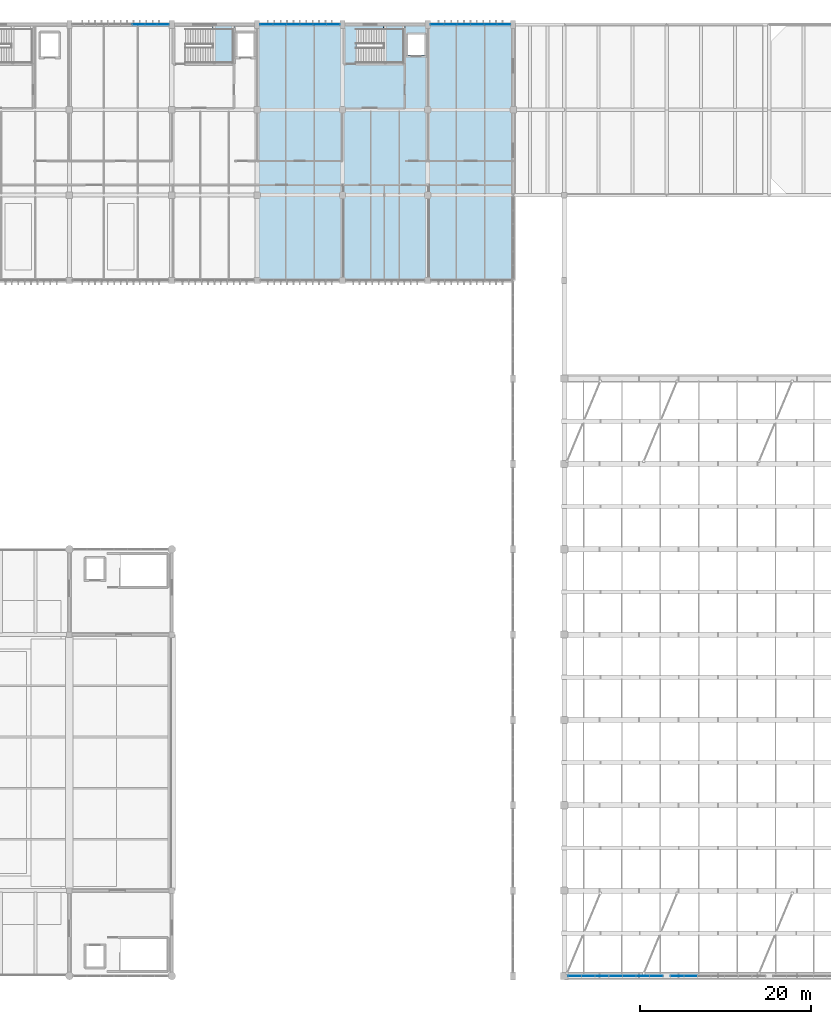
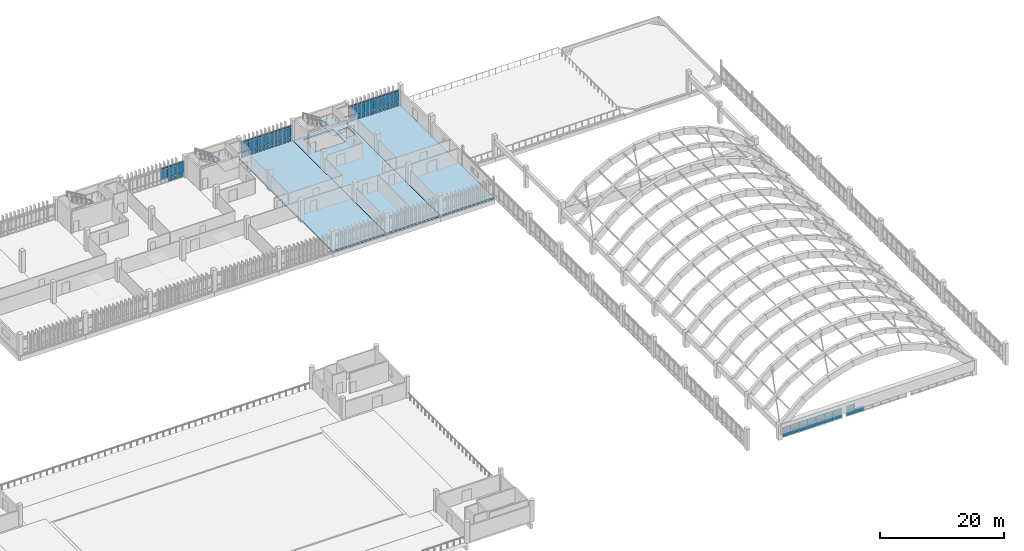
# One storey, part 97 of 111: 61 plates, 5 slabs, 7 elements without a shape of their own.
"""IFC4 building model written with IfcOpenShell, lengths in metres."""

from ifc_helpers import new_model, si_unit, direction, frame, origin, origin_2d, place, context, subcontext, project, spatial, polyline, rectangle, outline, extrude, material, layer, layer_set, type_object, element, aggregate, save


model = new_model("IFC4")

# Units and contexts
model_context = context("Model", 3, precision=1e-05, world=origin(), true_north=direction((0.0, 1.0)))
body_context = subcontext(model_context, "Body", "Model", "MODEL_VIEW")
ifc_project = project(units=[si_unit("LENGTHUNIT", "METRE"), si_unit("AREAUNIT", "SQUARE_METRE"), si_unit("VOLUMEUNIT", "CUBIC_METRE"), si_unit("PLANEANGLEUNIT", "RADIAN"), si_unit("MASSUNIT", "GRAM", prefix="KILO")], contexts=[model_context])

# Site, building, storey
site_placement = place(None, origin())
site = spatial("IfcSite", under=ifc_project, at=site_placement, CompositionType="ELEMENT")
building_placement = place(site_placement, origin())
building = spatial("IfcBuilding", under=site, at=building_placement, Name="Mersad Railyard Sports Hall", CompositionType="ELEMENT")
storey_placement = place(building_placement, frame((0.0, 0.0, 9.0)))
storey = spatial("IfcBuildingStorey", under=building, at=storey_placement, Name="L02", CompositionType="ELEMENT", Elevation=9.0)

# Curtain wall, plates
ifc_material_1 = material(Name="Aluminium 6063-T6", Category="aluminium")
ifc_layer_1 = layer(ifc_material_1, 0.199951171875)
ifc_layer_set_1 = layer_set([ifc_layer_1], Name="Aluminium 6063-T6")
curtain_wall_type_1 = type_object("IfcCurtainWallType", Name="ARC-CW-CW11", PredefinedType="USERDEFINED", material=ifc_layer_set_1)
curtain_wall_1_placement = place(storey_placement, origin())
curtain_wall_1 = element("IfcCurtainWall", 1, at=curtain_wall_1_placement, inside=storey, type_object=curtain_wall_type_1, Name="Curtain wall CW11-0038", ObjectType="CURTAIN WALL", PredefinedType="USERDEFINED")
ifc_material_2 = material(Name="Solar-control glass", Category="glass")
ifc_layer_2 = layer(ifc_material_2, 0.028076171875)
ifc_layer_set_2 = layer_set([ifc_layer_2], Name="Solar-control glass")
plate_type = type_object("IfcPlateType", Name="ARC-CW-PNL01", PredefinedType="CURTAIN_PANEL", material=ifc_layer_set_2)
plate_1_placement = place(storey_placement, frame((147.7568359375, 3.5, 0.0849609375), z_axis=(0.0, 0.0, 1.0), x_axis=(-1.0, 0.0, 0.0)))
plate_1 = element("IfcPlate", 2, at=plate_1_placement, type_object=plate_type, Name="CW11 Glazed panel 1-1", PredefinedType="CURTAIN_PANEL", context=body_context, shape_type="SweptSolid", body=[
    extrude(rectangle(XDim=1.54248046875, YDim=0.028076171875, at=origin_2d()), origin(), (0.0, 0.0, 1.0), 0.909912109375),
])
plate_2_placement = place(storey_placement, frame((147.7568359375, 3.5, 1.0849609375), z_axis=(0.0, 0.0, 1.0), x_axis=(-1.0, 0.0, 0.0)))
plate_2 = element("IfcPlate", 3, at=plate_2_placement, type_object=plate_type, Name="CW11 Glazed panel 1-2", PredefinedType="CURTAIN_PANEL", context=body_context, shape_type="SweptSolid", body=[
    extrude(rectangle(XDim=1.54248046875, YDim=0.028076171875, at=origin_2d()), origin(), (0.0, 0.0, 1.0), 0.909912109375),
])
plate_3_placement = place(storey_placement, frame((146.17041015625, 3.5, 0.0849609375), z_axis=(0.0, 0.0, 1.0), x_axis=(-1.0, 0.0, 0.0)))
plate_3 = element("IfcPlate", 4, at=plate_3_placement, type_object=plate_type, Name="CW11 Glazed panel 2-1", PredefinedType="CURTAIN_PANEL", context=body_context, shape_type="SweptSolid", body=[
    extrude(rectangle(XDim=1.54248046875, YDim=0.028076171875, at=origin_2d()), origin(), (0.0, 0.0, 1.0), 0.909912109375),
])
plate_4_placement = place(storey_placement, frame((146.17041015625, 3.5, 1.0849609375), z_axis=(0.0, 0.0, 1.0), x_axis=(-1.0, 0.0, 0.0)))
plate_4 = element("IfcPlate", 5, at=plate_4_placement, type_object=plate_type, Name="CW11 Glazed panel 2-2", PredefinedType="CURTAIN_PANEL", context=body_context, shape_type="SweptSolid", body=[
    extrude(rectangle(XDim=1.54248046875, YDim=0.028076171875, at=origin_2d()), origin(), (0.0, 0.0, 1.0), 0.909912109375),
])
plate_5_placement = place(storey_placement, frame((144.583984375, 3.5, 0.0849609375), z_axis=(0.0, 0.0, 1.0), x_axis=(-1.0, 0.0, 0.0)))
plate_5 = element("IfcPlate", 6, at=plate_5_placement, type_object=plate_type, Name="CW11 Glazed panel 3-1", PredefinedType="CURTAIN_PANEL", context=body_context, shape_type="SweptSolid", body=[
    extrude(rectangle(XDim=1.54248046875, YDim=0.028076171875, at=origin_2d()), origin(), (0.0, 0.0, 1.0), 0.909912109375),
])
plate_6_placement = place(storey_placement, frame((144.583984375, 3.5, 1.0849609375), z_axis=(0.0, 0.0, 1.0), x_axis=(-1.0, 0.0, 0.0)))
plate_6 = element("IfcPlate", 7, at=plate_6_placement, type_object=plate_type, Name="CW11 Glazed panel 3-2", PredefinedType="CURTAIN_PANEL", context=body_context, shape_type="SweptSolid", body=[
    extrude(rectangle(XDim=1.54248046875, YDim=0.028076171875, at=origin_2d()), origin(), (0.0, 0.0, 1.0), 0.909912109375),
])
plate_7_placement = place(storey_placement, frame((142.99755859375, 3.5, 0.0849609375), z_axis=(0.0, 0.0, 1.0), x_axis=(-1.0, 0.0, 0.0)))
plate_7 = element("IfcPlate", 8, at=plate_7_placement, type_object=plate_type, Name="CW11 Glazed panel 4-1", PredefinedType="CURTAIN_PANEL", context=body_context, shape_type="SweptSolid", body=[
    extrude(rectangle(XDim=1.54248046875, YDim=0.028076171875, at=origin_2d()), origin(), (0.0, 0.0, 1.0), 0.909912109375),
])
plate_8_placement = place(storey_placement, frame((142.99755859375, 3.5, 1.0849609375), z_axis=(0.0, 0.0, 1.0), x_axis=(-1.0, 0.0, 0.0)))
plate_8 = element("IfcPlate", 9, at=plate_8_placement, type_object=plate_type, Name="CW11 Glazed panel 4-2", PredefinedType="CURTAIN_PANEL", context=body_context, shape_type="SweptSolid", body=[
    extrude(rectangle(XDim=1.54248046875, YDim=0.028076171875, at=origin_2d()), origin(), (0.0, 0.0, 1.0), 0.909912109375),
])
plate_9_placement = place(storey_placement, frame((141.4111328125, 3.5, 0.0849609375), z_axis=(0.0, 0.0, 1.0), x_axis=(-1.0, 0.0, 0.0)))
plate_9 = element("IfcPlate", 10, at=plate_9_placement, type_object=plate_type, Name="CW11 Glazed panel 5-1", PredefinedType="CURTAIN_PANEL", context=body_context, shape_type="SweptSolid", body=[
    extrude(rectangle(XDim=1.54248046875, YDim=0.028076171875, at=origin_2d()), origin(), (0.0, 0.0, 1.0), 0.909912109375),
])
plate_10_placement = place(storey_placement, frame((141.4111328125, 3.5, 1.0849609375), z_axis=(0.0, 0.0, 1.0), x_axis=(-1.0, 0.0, 0.0)))
plate_10 = element("IfcPlate", 11, at=plate_10_placement, type_object=plate_type, Name="CW11 Glazed panel 5-2", PredefinedType="CURTAIN_PANEL", context=body_context, shape_type="SweptSolid", body=[
    extrude(rectangle(XDim=1.54248046875, YDim=0.028076171875, at=origin_2d()), origin(), (0.0, 0.0, 1.0), 0.909912109375),
])
plate_11_placement = place(storey_placement, frame((139.82470703125, 3.5, 0.0849609375), z_axis=(0.0, 0.0, 1.0), x_axis=(-1.0, 0.0, 0.0)))
plate_11 = element("IfcPlate", 12, at=plate_11_placement, type_object=plate_type, Name="CW11 Glazed panel 6-1", PredefinedType="CURTAIN_PANEL", context=body_context, shape_type="SweptSolid", body=[
    extrude(rectangle(XDim=1.54248046875, YDim=0.028076171875, at=origin_2d()), origin(), (0.0, 0.0, 1.0), 0.909912109375),
])
plate_12_placement = place(storey_placement, frame((139.82470703125, 3.5, 1.0849609375), z_axis=(0.0, 0.0, 1.0), x_axis=(-1.0, 0.0, 0.0)))
plate_12 = element("IfcPlate", 13, at=plate_12_placement, type_object=plate_type, Name="CW11 Glazed panel 6-2", PredefinedType="CURTAIN_PANEL", context=body_context, shape_type="SweptSolid", body=[
    extrude(rectangle(XDim=1.54248046875, YDim=0.028076171875, at=origin_2d()), origin(), (0.0, 0.0, 1.0), 0.909912109375),
])
plate_13_placement = place(storey_placement, frame((138.23828125, 3.5, 0.0849609375), z_axis=(0.0, 0.0, 1.0), x_axis=(-1.0, 0.0, 0.0)))
plate_13 = element("IfcPlate", 14, at=plate_13_placement, type_object=plate_type, Name="CW11 Glazed panel 7-1", PredefinedType="CURTAIN_PANEL", context=body_context, shape_type="SweptSolid", body=[
    extrude(rectangle(XDim=1.54248046875, YDim=0.028076171875, at=origin_2d()), origin(), (0.0, 0.0, 1.0), 0.909912109375),
])
plate_14_placement = place(storey_placement, frame((138.23828125, 3.5, 1.0849609375), z_axis=(0.0, 0.0, 1.0), x_axis=(-1.0, 0.0, 0.0)))
plate_14 = element("IfcPlate", 15, at=plate_14_placement, type_object=plate_type, Name="CW11 Glazed panel 7-2", PredefinedType="CURTAIN_PANEL", context=body_context, shape_type="SweptSolid", body=[
    extrude(rectangle(XDim=1.54248046875, YDim=0.028076171875, at=origin_2d()), origin(), (0.0, 0.0, 1.0), 0.909912109375),
])
aggregate(curtain_wall_1, [plate_1, plate_2, plate_3, plate_4, plate_5, plate_6, plate_7, plate_8, plate_9, plate_10, plate_11, plate_12, plate_13, plate_14])

ifc_layer_3 = layer(ifc_material_1, 0.199951171875)
ifc_layer_set_3 = layer_set([ifc_layer_3], Name="Aluminium 6063-T6")
curtain_wall_type_2 = type_object("IfcCurtainWallType", Name="ARC-CW-CW13", PredefinedType="USERDEFINED", material=ifc_layer_set_3)
curtain_wall_2_placement = place(storey_placement, origin())
curtain_wall_2 = element("IfcCurtainWall", 16, at=curtain_wall_2_placement, inside=storey, type_object=curtain_wall_type_2, Name="Curtain wall CW13-0040", ObjectType="CURTAIN WALL", PredefinedType="USERDEFINED")
plate_15_placement = place(storey_placement, frame((151.82861328125, 3.5, 0.0849609375), z_axis=(0.0, 0.0, 1.0), x_axis=(-1.0, 0.0, 0.0)))
plate_15 = element("IfcPlate", 17, at=plate_15_placement, type_object=plate_type, Name="CW13 Glazed panel 6-1", PredefinedType="CURTAIN_PANEL", context=body_context, shape_type="SweptSolid", body=[
    extrude(rectangle(XDim=1.541748046875, YDim=0.028076171875, at=origin_2d()), origin(), (0.0, 0.0, 1.0), 0.909912109375),
])
plate_16_placement = place(storey_placement, frame((150.242919921875, 3.5, 0.0849609375), z_axis=(0.0, 0.0, 1.0), x_axis=(-1.0, 0.0, 0.0)))
plate_16 = element("IfcPlate", 18, at=plate_16_placement, type_object=plate_type, Name="CW13 Glazed panel 7-1", PredefinedType="CURTAIN_PANEL", context=body_context, shape_type="SweptSolid", body=[
    extrude(rectangle(XDim=1.541748046875, YDim=0.028076171875, at=origin_2d()), origin(), (0.0, 0.0, 1.0), 0.909912109375),
])
plate_17_placement = place(storey_placement, frame((150.242919921875, 3.5, 1.0849609375), z_axis=(0.0, 0.0, 1.0), x_axis=(-1.0, 0.0, 0.0)))
plate_17 = element("IfcPlate", 19, at=plate_17_placement, type_object=plate_type, Name="CW13 Glazed panel 7-2", PredefinedType="CURTAIN_PANEL", context=body_context, shape_type="SweptSolid", body=[
    extrude(rectangle(XDim=1.541748046875, YDim=0.028076171875, at=origin_2d()), origin(), (0.0, 0.0, 1.0), 0.909912109375),
])
aggregate(curtain_wall_2, [plate_15, plate_16, plate_17])

ifc_layer_4 = layer(ifc_material_1, 0.159912109375)
ifc_layer_set_4 = layer_set([ifc_layer_4], Name="Aluminium 6063-T6")
curtain_wall_type_3 = type_object("IfcCurtainWallType", Name="ARC-CW-CW52", PredefinedType="USERDEFINED", material=ifc_layer_set_4)
curtain_wall_3_placement = place(storey_placement, origin())
curtain_wall_3 = element("IfcCurtainWall", 20, at=curtain_wall_3_placement, inside=storey, type_object=curtain_wall_type_3, Name="Curtain wall CW52-0140", ObjectType="CURTAIN WALL", PredefinedType="USERDEFINED")
plate_18_placement = place(storey_placement, frame((87.1298828125, 115.0, 0.89501953125), z_axis=(0.0, 0.0, 1.0), x_axis=(1.0, 0.0, 0.0)))
plate_18 = element("IfcPlate", 21, at=plate_18_placement, type_object=plate_type, Name="CW52 Glazed panel 6-2", PredefinedType="CURTAIN_PANEL", context=body_context, shape_type="SweptSolid", body=[
    extrude(rectangle(XDim=1.3759765625, YDim=0.028076171875, at=origin_2d()), origin(), (0.0, 0.0, 1.0), 1.7900390625),
])
plate_19_placement = place(storey_placement, frame((87.1298828125, 115.0, 2.77490234375), z_axis=(0.0, 0.0, 1.0), x_axis=(1.0, 0.0, 0.0)))
plate_19 = element("IfcPlate", 22, at=plate_19_placement, type_object=plate_type, Name="CW52 Glazed panel 6-3", PredefinedType="CURTAIN_PANEL", context=body_context, shape_type="SweptSolid", body=[
    extrude(rectangle(XDim=1.3759765625, YDim=0.028076171875, at=origin_2d()), origin(), (0.0, 0.0, 1.0), 0.35009765625),
])
plate_20_placement = place(storey_placement, frame((88.550048828125, 115.0, 0.0849609375), z_axis=(0.0, 0.0, 1.0), x_axis=(1.0, 0.0, 0.0)))
plate_20 = element("IfcPlate", 23, at=plate_20_placement, type_object=plate_type, Name="CW52 Glazed panel 7-1", PredefinedType="CURTAIN_PANEL", context=body_context, shape_type="SweptSolid", body=[
    extrude(rectangle(XDim=1.3759765625, YDim=0.028076171875, at=origin_2d()), origin(), (0.0, 0.0, 1.0), 0.719970703125),
])
plate_21_placement = place(storey_placement, frame((88.550048828125, 115.0, 0.89501953125), z_axis=(0.0, 0.0, 1.0), x_axis=(1.0, 0.0, 0.0)))
plate_21 = element("IfcPlate", 24, at=plate_21_placement, type_object=plate_type, Name="CW52 Glazed panel 7-2", PredefinedType="CURTAIN_PANEL", context=body_context, shape_type="SweptSolid", body=[
    extrude(rectangle(XDim=1.3759765625, YDim=0.028076171875, at=origin_2d()), origin(), (0.0, 0.0, 1.0), 1.7900390625),
])
plate_22_placement = place(storey_placement, frame((88.550048828125, 115.0, 2.77490234375), z_axis=(0.0, 0.0, 1.0), x_axis=(1.0, 0.0, 0.0)))
plate_22 = element("IfcPlate", 25, at=plate_22_placement, type_object=plate_type, Name="CW52 Glazed panel 7-3", PredefinedType="CURTAIN_PANEL", context=body_context, shape_type="SweptSolid", body=[
    extrude(rectangle(XDim=1.3759765625, YDim=0.028076171875, at=origin_2d()), origin(), (0.0, 0.0, 1.0), 0.35009765625),
])
plate_23_placement = place(storey_placement, frame((89.969970703125, 115.0, 0.0849609375), z_axis=(0.0, 0.0, 1.0), x_axis=(1.0, 0.0, 0.0)))
plate_23 = element("IfcPlate", 26, at=plate_23_placement, type_object=plate_type, Name="CW52 Glazed panel 8-1", PredefinedType="CURTAIN_PANEL", context=body_context, shape_type="SweptSolid", body=[
    extrude(rectangle(XDim=1.3759765625, YDim=0.028076171875, at=origin_2d()), origin(), (0.0, 0.0, 1.0), 0.719970703125),
])
plate_24_placement = place(storey_placement, frame((89.969970703125, 115.0, 0.89501953125), z_axis=(0.0, 0.0, 1.0), x_axis=(1.0, 0.0, 0.0)))
plate_24 = element("IfcPlate", 27, at=plate_24_placement, type_object=plate_type, Name="CW52 Glazed panel 8-2", PredefinedType="CURTAIN_PANEL", context=body_context, shape_type="SweptSolid", body=[
    extrude(rectangle(XDim=1.3759765625, YDim=0.028076171875, at=origin_2d()), origin(), (0.0, 0.0, 1.0), 1.7900390625),
])
plate_25_placement = place(storey_placement, frame((89.969970703125, 115.0, 2.77490234375), z_axis=(0.0, 0.0, 1.0), x_axis=(1.0, 0.0, 0.0)))
plate_25 = element("IfcPlate", 28, at=plate_25_placement, type_object=plate_type, Name="CW52 Glazed panel 8-3", PredefinedType="CURTAIN_PANEL", context=body_context, shape_type="SweptSolid", body=[
    extrude(rectangle(XDim=1.3759765625, YDim=0.028076171875, at=origin_2d()), origin(), (0.0, 0.0, 1.0), 0.35009765625),
])
aggregate(curtain_wall_3, [plate_18, plate_19, plate_20, plate_21, plate_22, plate_23, plate_24, plate_25])

ifc_layer_5 = layer(ifc_material_1, 0.159912109375)
ifc_layer_set_5 = layer_set([ifc_layer_5], Name="Aluminium 6063-T6")
curtain_wall_type_4 = type_object("IfcCurtainWallType", Name="ARC-CW-CW53", PredefinedType="USERDEFINED", material=ifc_layer_set_5)
curtain_wall_4_placement = place(storey_placement, origin())
curtain_wall_4 = element("IfcCurtainWall", 29, at=curtain_wall_4_placement, inside=storey, type_object=curtain_wall_type_4, Name="Curtain wall CW53-0141", ObjectType="CURTAIN WALL", PredefinedType="USERDEFINED")
plate_26_placement = place(storey_placement, frame((102.10009765625, 115.0, 0.0849609375), z_axis=(0.0, 0.0, 1.0), x_axis=(1.0, 0.0, 0.0)))
plate_26 = element("IfcPlate", 30, at=plate_26_placement, type_object=plate_type, Name="CW53 Glazed panel 1-1", PredefinedType="CURTAIN_PANEL", context=body_context, shape_type="SweptSolid", body=[
    extrude(rectangle(XDim=1.51611328125, YDim=0.028076171875, at=origin_2d()), origin(), (0.0, 0.0, 1.0), 0.719970703125),
])
plate_27_placement = place(storey_placement, frame((102.10009765625, 115.0, 0.89501953125), z_axis=(0.0, 0.0, 1.0), x_axis=(1.0, 0.0, 0.0)))
plate_27 = element("IfcPlate", 31, at=plate_27_placement, type_object=plate_type, Name="CW53 Glazed panel 1-2", PredefinedType="CURTAIN_PANEL", context=body_context, shape_type="SweptSolid", body=[
    extrude(rectangle(XDim=1.51611328125, YDim=0.028076171875, at=origin_2d()), origin(), (0.0, 0.0, 1.0), 1.7900390625),
])
plate_28_placement = place(storey_placement, frame((102.10009765625, 115.0, 2.77490234375), z_axis=(0.0, 0.0, 1.0), x_axis=(1.0, 0.0, 0.0)))
plate_28 = element("IfcPlate", 32, at=plate_28_placement, type_object=plate_type, Name="CW53 Glazed panel 1-3", PredefinedType="CURTAIN_PANEL", context=body_context, shape_type="SweptSolid", body=[
    extrude(rectangle(XDim=1.51611328125, YDim=0.028076171875, at=origin_2d()), origin(), (0.0, 0.0, 1.0), 0.35009765625),
])
plate_29_placement = place(storey_placement, frame((103.659912109375, 115.0, 0.0849609375), z_axis=(0.0, 0.0, 1.0), x_axis=(1.0, 0.0, 0.0)))
plate_29 = element("IfcPlate", 33, at=plate_29_placement, type_object=plate_type, Name="CW53 Glazed panel 2-1", PredefinedType="CURTAIN_PANEL", context=body_context, shape_type="SweptSolid", body=[
    extrude(rectangle(XDim=1.51611328125, YDim=0.028076171875, at=origin_2d()), origin(), (0.0, 0.0, 1.0), 0.719970703125),
])
plate_30_placement = place(storey_placement, frame((103.659912109375, 115.0, 0.89501953125), z_axis=(0.0, 0.0, 1.0), x_axis=(1.0, 0.0, 0.0)))
plate_30 = element("IfcPlate", 34, at=plate_30_placement, type_object=plate_type, Name="CW53 Glazed panel 2-2", PredefinedType="CURTAIN_PANEL", context=body_context, shape_type="SweptSolid", body=[
    extrude(rectangle(XDim=1.51611328125, YDim=0.028076171875, at=origin_2d()), origin(), (0.0, 0.0, 1.0), 1.7900390625),
])
plate_31_placement = place(storey_placement, frame((103.659912109375, 115.0, 2.77490234375), z_axis=(0.0, 0.0, 1.0), x_axis=(1.0, 0.0, 0.0)))
plate_31 = element("IfcPlate", 35, at=plate_31_placement, type_object=plate_type, Name="CW53 Glazed panel 2-3", PredefinedType="CURTAIN_PANEL", context=body_context, shape_type="SweptSolid", body=[
    extrude(rectangle(XDim=1.51611328125, YDim=0.028076171875, at=origin_2d()), origin(), (0.0, 0.0, 1.0), 0.35009765625),
])
plate_32_placement = place(storey_placement, frame((105.219970703125, 115.0, 0.0849609375), z_axis=(0.0, 0.0, 1.0), x_axis=(1.0, 0.0, 0.0)))
plate_32 = element("IfcPlate", 36, at=plate_32_placement, type_object=plate_type, Name="CW53 Glazed panel 3-1", PredefinedType="CURTAIN_PANEL", context=body_context, shape_type="SweptSolid", body=[
    extrude(rectangle(XDim=1.51611328125, YDim=0.028076171875, at=origin_2d()), origin(), (0.0, 0.0, 1.0), 0.719970703125),
])
plate_33_placement = place(storey_placement, frame((105.219970703125, 115.0, 0.89501953125), z_axis=(0.0, 0.0, 1.0), x_axis=(1.0, 0.0, 0.0)))
plate_33 = element("IfcPlate", 37, at=plate_33_placement, type_object=plate_type, Name="CW53 Glazed panel 3-2", PredefinedType="CURTAIN_PANEL", context=body_context, shape_type="SweptSolid", body=[
    extrude(rectangle(XDim=1.51611328125, YDim=0.028076171875, at=origin_2d()), origin(), (0.0, 0.0, 1.0), 1.7900390625),
])
plate_34_placement = place(storey_placement, frame((105.219970703125, 115.0, 2.77490234375), z_axis=(0.0, 0.0, 1.0), x_axis=(1.0, 0.0, 0.0)))
plate_34 = element("IfcPlate", 38, at=plate_34_placement, type_object=plate_type, Name="CW53 Glazed panel 3-3", PredefinedType="CURTAIN_PANEL", context=body_context, shape_type="SweptSolid", body=[
    extrude(rectangle(XDim=1.51611328125, YDim=0.028076171875, at=origin_2d()), origin(), (0.0, 0.0, 1.0), 0.35009765625),
])
plate_35_placement = place(storey_placement, frame((106.780029296875, 115.0, 0.0849609375), z_axis=(0.0, 0.0, 1.0), x_axis=(1.0, 0.0, 0.0)))
plate_35 = element("IfcPlate", 39, at=plate_35_placement, type_object=plate_type, Name="CW53 Glazed panel 4-1", PredefinedType="CURTAIN_PANEL", context=body_context, shape_type="SweptSolid", body=[
    extrude(rectangle(XDim=1.51611328125, YDim=0.028076171875, at=origin_2d()), origin(), (0.0, 0.0, 1.0), 0.719970703125),
])
plate_36_placement = place(storey_placement, frame((106.780029296875, 115.0, 0.89501953125), z_axis=(0.0, 0.0, 1.0), x_axis=(1.0, 0.0, 0.0)))
plate_36 = element("IfcPlate", 40, at=plate_36_placement, type_object=plate_type, Name="CW53 Glazed panel 4-2", PredefinedType="CURTAIN_PANEL", context=body_context, shape_type="SweptSolid", body=[
    extrude(rectangle(XDim=1.51611328125, YDim=0.028076171875, at=origin_2d()), origin(), (0.0, 0.0, 1.0), 1.7900390625),
])
plate_37_placement = place(storey_placement, frame((106.780029296875, 115.0, 2.77490234375), z_axis=(0.0, 0.0, 1.0), x_axis=(1.0, 0.0, 0.0)))
plate_37 = element("IfcPlate", 41, at=plate_37_placement, type_object=plate_type, Name="CW53 Glazed panel 4-3", PredefinedType="CURTAIN_PANEL", context=body_context, shape_type="SweptSolid", body=[
    extrude(rectangle(XDim=1.51611328125, YDim=0.028076171875, at=origin_2d()), origin(), (0.0, 0.0, 1.0), 0.35009765625),
])
plate_38_placement = place(storey_placement, frame((108.340087890625, 115.0, 0.0849609375), z_axis=(0.0, 0.0, 1.0), x_axis=(1.0, 0.0, 0.0)))
plate_38 = element("IfcPlate", 42, at=plate_38_placement, type_object=plate_type, Name="CW53 Glazed panel 5-1", PredefinedType="CURTAIN_PANEL", context=body_context, shape_type="SweptSolid", body=[
    extrude(rectangle(XDim=1.51611328125, YDim=0.028076171875, at=origin_2d()), origin(), (0.0, 0.0, 1.0), 0.719970703125),
])
plate_39_placement = place(storey_placement, frame((108.340087890625, 115.0, 0.89501953125), z_axis=(0.0, 0.0, 1.0), x_axis=(1.0, 0.0, 0.0)))
plate_39 = element("IfcPlate", 43, at=plate_39_placement, type_object=plate_type, Name="CW53 Glazed panel 5-2", PredefinedType="CURTAIN_PANEL", context=body_context, shape_type="SweptSolid", body=[
    extrude(rectangle(XDim=1.51611328125, YDim=0.028076171875, at=origin_2d()), origin(), (0.0, 0.0, 1.0), 1.7900390625),
])
plate_40_placement = place(storey_placement, frame((108.340087890625, 115.0, 2.77490234375), z_axis=(0.0, 0.0, 1.0), x_axis=(1.0, 0.0, 0.0)))
plate_40 = element("IfcPlate", 44, at=plate_40_placement, type_object=plate_type, Name="CW53 Glazed panel 5-3", PredefinedType="CURTAIN_PANEL", context=body_context, shape_type="SweptSolid", body=[
    extrude(rectangle(XDim=1.51611328125, YDim=0.028076171875, at=origin_2d()), origin(), (0.0, 0.0, 1.0), 0.35009765625),
])
plate_41_placement = place(storey_placement, frame((109.89990234375, 115.0, 0.0849609375), z_axis=(0.0, 0.0, 1.0), x_axis=(1.0, 0.0, 0.0)))
plate_41 = element("IfcPlate", 45, at=plate_41_placement, type_object=plate_type, Name="CW53 Glazed panel 6-1", PredefinedType="CURTAIN_PANEL", context=body_context, shape_type="SweptSolid", body=[
    extrude(rectangle(XDim=1.51611328125, YDim=0.028076171875, at=origin_2d()), origin(), (0.0, 0.0, 1.0), 0.719970703125),
])
plate_42_placement = place(storey_placement, frame((109.89990234375, 115.0, 0.89501953125), z_axis=(0.0, 0.0, 1.0), x_axis=(1.0, 0.0, 0.0)))
plate_42 = element("IfcPlate", 46, at=plate_42_placement, type_object=plate_type, Name="CW53 Glazed panel 6-2", PredefinedType="CURTAIN_PANEL", context=body_context, shape_type="SweptSolid", body=[
    extrude(rectangle(XDim=1.51611328125, YDim=0.028076171875, at=origin_2d()), origin(), (0.0, 0.0, 1.0), 1.7900390625),
])
plate_43_placement = place(storey_placement, frame((109.89990234375, 115.0, 2.77490234375), z_axis=(0.0, 0.0, 1.0), x_axis=(1.0, 0.0, 0.0)))
plate_43 = element("IfcPlate", 47, at=plate_43_placement, type_object=plate_type, Name="CW53 Glazed panel 6-3", PredefinedType="CURTAIN_PANEL", context=body_context, shape_type="SweptSolid", body=[
    extrude(rectangle(XDim=1.51611328125, YDim=0.028076171875, at=origin_2d()), origin(), (0.0, 0.0, 1.0), 0.35009765625),
])
aggregate(curtain_wall_4, [plate_26, plate_27, plate_28, plate_29, plate_30, plate_31, plate_32, plate_33, plate_34, plate_35, plate_36, plate_37, plate_38, plate_39, plate_40, plate_41, plate_42, plate_43])

curtain_wall_5_placement = place(storey_placement, origin())
curtain_wall_5 = element("IfcCurtainWall", 48, at=curtain_wall_5_placement, inside=storey, type_object=curtain_wall_type_4, Name="Curtain wall CW53-0142", ObjectType="CURTAIN WALL", PredefinedType="USERDEFINED")
plate_44_placement = place(storey_placement, frame((122.10009765625, 115.0, 0.0849609375), z_axis=(0.0, 0.0, 1.0), x_axis=(1.0, 0.0, 0.0)))
plate_44 = element("IfcPlate", 49, at=plate_44_placement, type_object=plate_type, Name="CW53 Glazed panel 1-1", PredefinedType="CURTAIN_PANEL", context=body_context, shape_type="SweptSolid", body=[
    extrude(rectangle(XDim=1.51611328125, YDim=0.028076171875, at=origin_2d()), origin(), (0.0, 0.0, 1.0), 0.719970703125),
])
plate_45_placement = place(storey_placement, frame((122.10009765625, 115.0, 0.89501953125), z_axis=(0.0, 0.0, 1.0), x_axis=(1.0, 0.0, 0.0)))
plate_45 = element("IfcPlate", 50, at=plate_45_placement, type_object=plate_type, Name="CW53 Glazed panel 1-2", PredefinedType="CURTAIN_PANEL", context=body_context, shape_type="SweptSolid", body=[
    extrude(rectangle(XDim=1.51611328125, YDim=0.028076171875, at=origin_2d()), origin(), (0.0, 0.0, 1.0), 1.7900390625),
])
plate_46_placement = place(storey_placement, frame((122.10009765625, 115.0, 2.77490234375), z_axis=(0.0, 0.0, 1.0), x_axis=(1.0, 0.0, 0.0)))
plate_46 = element("IfcPlate", 51, at=plate_46_placement, type_object=plate_type, Name="CW53 Glazed panel 1-3", PredefinedType="CURTAIN_PANEL", context=body_context, shape_type="SweptSolid", body=[
    extrude(rectangle(XDim=1.51611328125, YDim=0.028076171875, at=origin_2d()), origin(), (0.0, 0.0, 1.0), 0.35009765625),
])
plate_47_placement = place(storey_placement, frame((123.659912109375, 115.0, 0.0849609375), z_axis=(0.0, 0.0, 1.0), x_axis=(1.0, 0.0, 0.0)))
plate_47 = element("IfcPlate", 52, at=plate_47_placement, type_object=plate_type, Name="CW53 Glazed panel 2-1", PredefinedType="CURTAIN_PANEL", context=body_context, shape_type="SweptSolid", body=[
    extrude(rectangle(XDim=1.51611328125, YDim=0.028076171875, at=origin_2d()), origin(), (0.0, 0.0, 1.0), 0.719970703125),
])
plate_48_placement = place(storey_placement, frame((123.659912109375, 115.0, 0.89501953125), z_axis=(0.0, 0.0, 1.0), x_axis=(1.0, 0.0, 0.0)))
plate_48 = element("IfcPlate", 53, at=plate_48_placement, type_object=plate_type, Name="CW53 Glazed panel 2-2", PredefinedType="CURTAIN_PANEL", context=body_context, shape_type="SweptSolid", body=[
    extrude(rectangle(XDim=1.51611328125, YDim=0.028076171875, at=origin_2d()), origin(), (0.0, 0.0, 1.0), 1.7900390625),
])
plate_49_placement = place(storey_placement, frame((123.659912109375, 115.0, 2.77490234375), z_axis=(0.0, 0.0, 1.0), x_axis=(1.0, 0.0, 0.0)))
plate_49 = element("IfcPlate", 54, at=plate_49_placement, type_object=plate_type, Name="CW53 Glazed panel 2-3", PredefinedType="CURTAIN_PANEL", context=body_context, shape_type="SweptSolid", body=[
    extrude(rectangle(XDim=1.51611328125, YDim=0.028076171875, at=origin_2d()), origin(), (0.0, 0.0, 1.0), 0.35009765625),
])
plate_50_placement = place(storey_placement, frame((125.219970703125, 115.0, 0.0849609375), z_axis=(0.0, 0.0, 1.0), x_axis=(1.0, 0.0, 0.0)))
plate_50 = element("IfcPlate", 55, at=plate_50_placement, type_object=plate_type, Name="CW53 Glazed panel 3-1", PredefinedType="CURTAIN_PANEL", context=body_context, shape_type="SweptSolid", body=[
    extrude(rectangle(XDim=1.51611328125, YDim=0.028076171875, at=origin_2d()), origin(), (0.0, 0.0, 1.0), 0.719970703125),
])
plate_51_placement = place(storey_placement, frame((125.219970703125, 115.0, 0.89501953125), z_axis=(0.0, 0.0, 1.0), x_axis=(1.0, 0.0, 0.0)))
plate_51 = element("IfcPlate", 56, at=plate_51_placement, type_object=plate_type, Name="CW53 Glazed panel 3-2", PredefinedType="CURTAIN_PANEL", context=body_context, shape_type="SweptSolid", body=[
    extrude(rectangle(XDim=1.51611328125, YDim=0.028076171875, at=origin_2d()), origin(), (0.0, 0.0, 1.0), 1.7900390625),
])
plate_52_placement = place(storey_placement, frame((125.219970703125, 115.0, 2.77490234375), z_axis=(0.0, 0.0, 1.0), x_axis=(1.0, 0.0, 0.0)))
plate_52 = element("IfcPlate", 57, at=plate_52_placement, type_object=plate_type, Name="CW53 Glazed panel 3-3", PredefinedType="CURTAIN_PANEL", context=body_context, shape_type="SweptSolid", body=[
    extrude(rectangle(XDim=1.51611328125, YDim=0.028076171875, at=origin_2d()), origin(), (0.0, 0.0, 1.0), 0.35009765625),
])
plate_53_placement = place(storey_placement, frame((126.780029296875, 115.0, 0.0849609375), z_axis=(0.0, 0.0, 1.0), x_axis=(1.0, 0.0, 0.0)))
plate_53 = element("IfcPlate", 58, at=plate_53_placement, type_object=plate_type, Name="CW53 Glazed panel 4-1", PredefinedType="CURTAIN_PANEL", context=body_context, shape_type="SweptSolid", body=[
    extrude(rectangle(XDim=1.51611328125, YDim=0.028076171875, at=origin_2d()), origin(), (0.0, 0.0, 1.0), 0.719970703125),
])
plate_54_placement = place(storey_placement, frame((126.780029296875, 115.0, 0.89501953125), z_axis=(0.0, 0.0, 1.0), x_axis=(1.0, 0.0, 0.0)))
plate_54 = element("IfcPlate", 59, at=plate_54_placement, type_object=plate_type, Name="CW53 Glazed panel 4-2", PredefinedType="CURTAIN_PANEL", context=body_context, shape_type="SweptSolid", body=[
    extrude(rectangle(XDim=1.51611328125, YDim=0.028076171875, at=origin_2d()), origin(), (0.0, 0.0, 1.0), 1.7900390625),
])
plate_55_placement = place(storey_placement, frame((126.780029296875, 115.0, 2.77490234375), z_axis=(0.0, 0.0, 1.0), x_axis=(1.0, 0.0, 0.0)))
plate_55 = element("IfcPlate", 60, at=plate_55_placement, type_object=plate_type, Name="CW53 Glazed panel 4-3", PredefinedType="CURTAIN_PANEL", context=body_context, shape_type="SweptSolid", body=[
    extrude(rectangle(XDim=1.51611328125, YDim=0.028076171875, at=origin_2d()), origin(), (0.0, 0.0, 1.0), 0.35009765625),
])
plate_56_placement = place(storey_placement, frame((128.340087890625, 115.0, 0.0849609375), z_axis=(0.0, 0.0, 1.0), x_axis=(1.0, 0.0, 0.0)))
plate_56 = element("IfcPlate", 61, at=plate_56_placement, type_object=plate_type, Name="CW53 Glazed panel 5-1", PredefinedType="CURTAIN_PANEL", context=body_context, shape_type="SweptSolid", body=[
    extrude(rectangle(XDim=1.51611328125, YDim=0.028076171875, at=origin_2d()), origin(), (0.0, 0.0, 1.0), 0.719970703125),
])
plate_57_placement = place(storey_placement, frame((128.340087890625, 115.0, 0.89501953125), z_axis=(0.0, 0.0, 1.0), x_axis=(1.0, 0.0, 0.0)))
plate_57 = element("IfcPlate", 62, at=plate_57_placement, type_object=plate_type, Name="CW53 Glazed panel 5-2", PredefinedType="CURTAIN_PANEL", context=body_context, shape_type="SweptSolid", body=[
    extrude(rectangle(XDim=1.51611328125, YDim=0.028076171875, at=origin_2d()), origin(), (0.0, 0.0, 1.0), 1.7900390625),
])
plate_58_placement = place(storey_placement, frame((128.340087890625, 115.0, 2.77490234375), z_axis=(0.0, 0.0, 1.0), x_axis=(1.0, 0.0, 0.0)))
plate_58 = element("IfcPlate", 63, at=plate_58_placement, type_object=plate_type, Name="CW53 Glazed panel 5-3", PredefinedType="CURTAIN_PANEL", context=body_context, shape_type="SweptSolid", body=[
    extrude(rectangle(XDim=1.51611328125, YDim=0.028076171875, at=origin_2d()), origin(), (0.0, 0.0, 1.0), 0.35009765625),
])
plate_59_placement = place(storey_placement, frame((129.89990234375, 115.0, 0.0849609375), z_axis=(0.0, 0.0, 1.0), x_axis=(1.0, 0.0, 0.0)))
plate_59 = element("IfcPlate", 64, at=plate_59_placement, type_object=plate_type, Name="CW53 Glazed panel 6-1", PredefinedType="CURTAIN_PANEL", context=body_context, shape_type="SweptSolid", body=[
    extrude(rectangle(XDim=1.51611328125, YDim=0.028076171875, at=origin_2d()), origin(), (0.0, 0.0, 1.0), 0.719970703125),
])
plate_60_placement = place(storey_placement, frame((129.89990234375, 115.0, 0.89501953125), z_axis=(0.0, 0.0, 1.0), x_axis=(1.0, 0.0, 0.0)))
plate_60 = element("IfcPlate", 65, at=plate_60_placement, type_object=plate_type, Name="CW53 Glazed panel 6-2", PredefinedType="CURTAIN_PANEL", context=body_context, shape_type="SweptSolid", body=[
    extrude(rectangle(XDim=1.51611328125, YDim=0.028076171875, at=origin_2d()), origin(), (0.0, 0.0, 1.0), 1.7900390625),
])
plate_61_placement = place(storey_placement, frame((129.89990234375, 115.0, 2.77490234375), z_axis=(0.0, 0.0, 1.0), x_axis=(1.0, 0.0, 0.0)))
plate_61 = element("IfcPlate", 66, at=plate_61_placement, type_object=plate_type, Name="CW53 Glazed panel 6-3", PredefinedType="CURTAIN_PANEL", context=body_context, shape_type="SweptSolid", body=[
    extrude(rectangle(XDim=1.51611328125, YDim=0.028076171875, at=origin_2d()), origin(), (0.0, 0.0, 1.0), 0.35009765625),
])
aggregate(curtain_wall_5, [plate_44, plate_45, plate_46, plate_47, plate_48, plate_49, plate_50, plate_51, plate_52, plate_53, plate_54, plate_55, plate_56, plate_57, plate_58, plate_59, plate_60, plate_61])

# Slabs
ifc_material_3 = material(Name="Concrete C40/50", Category="concrete")
ifc_layer_6 = layer(ifc_material_3, 0.300048828125)
ifc_layer_set_6 = layer_set([ifc_layer_6], Name="Concrete C40/50")
slab_type_1 = type_object("IfcSlabType", Name="STR-SL-FL03", PredefinedType="FLOOR", material=ifc_layer_set_6)
slab_1_placement = place(storey_placement, frame((0.0, 0.0, -0.300048828125)))
element("IfcSlab", 67, at=slab_1_placement, inside=storey, type_object=slab_type_1, Name="Slab SL03-0090", PredefinedType="FLOOR", context=body_context, shape_type="SweptSolid", body=[
    extrude(outline(polyline([(101.0, 85.0), (111.0, 85.0), (111.0, 115.0), (101.0, 115.0), (101.0, 85.0)])), origin(), (0.0, 0.0, 1.0), 0.300048828125),
])
slab_2_placement = place(storey_placement, frame((0.0, 0.0, -0.300048828125)))
element("IfcSlab", 68, at=slab_2_placement, inside=storey, type_object=slab_type_1, Name="Slab SL03-0091", PredefinedType="FLOOR", context=body_context, shape_type="SweptSolid", body=[
    extrude(outline(polyline([(111.0, 85.0), (121.0, 85.0), (121.0, 115.0), (111.0, 115.0), (111.0, 85.0)]), holes=[polyline([(112.639892578125, 110.5), (118.199951171875, 110.5), (118.199951171875, 114.5), (112.639892578125, 114.5), (112.639892578125, 110.5)]), polyline([(118.699951171875, 111.39990234375), (120.60009765625, 111.39990234375), (120.60009765625, 113.800048828125), (118.699951171875, 113.800048828125), (118.699951171875, 111.39990234375)])]), origin(), (0.0, 0.0, 1.0), 0.300048828125),
])
slab_3_placement = place(storey_placement, frame((0.0, 0.0, -0.300048828125)))
element("IfcSlab", 69, at=slab_3_placement, inside=storey, type_object=slab_type_1, Name="Slab SL03-0092", PredefinedType="FLOOR", context=body_context, shape_type="SweptSolid", body=[
    extrude(outline(polyline([(121.0, 85.0), (131.0, 85.0), (131.0, 115.0), (121.0, 115.0), (121.0, 85.0)])), origin(), (0.0, 0.0, 1.0), 0.300048828125),
])

# Stair, slab
stair_type_1 = type_object("IfcStairType", Name="ARC-ST-ST02D", PredefinedType="HALF_TURN_STAIR", material=ifc_material_3)
stair_1_placement = place(storey_placement, origin())
stair_1 = element("IfcStair", 70, at=stair_1_placement, inside=storey, type_object=stair_type_1, Name="Core C2 Exit Stair L02-L03", PredefinedType="HALF_TURN_STAIR")
ifc_material_4 = material(Name="Precast concrete C45/55", Category="concrete")
ifc_layer_7 = layer(ifc_material_4, 0.199951171875)
ifc_layer_set_7 = layer_set([ifc_layer_7], Name="Precast concrete C45/55")
slab_type_2 = type_object("IfcSlabType", Name="STR-SL-LD02", PredefinedType="LANDING", material=ifc_layer_set_7)
slab_4_placement = place(storey_placement, frame((0.0, 0.0, 1.919921875)))
slab_4 = element("IfcSlab", 71, at=slab_4_placement, type_object=slab_type_2, Name="Core C2 Exit Stair L02-L03 Half Landing", PredefinedType="LANDING", context=body_context, shape_type="SweptSolid", body=[
    extrude(outline(polyline([(95.751953125, 110.3798828125), (98.320068359375, 110.3798828125), (98.320068359375, 115.050048828125), (95.751953125, 115.050048828125), (95.751953125, 110.3798828125)])), origin(), (0.0, 0.0, 1.0), 0.18017578125),
])
aggregate(stair_1, [slab_4])

stair_type_2 = type_object("IfcStairType", Name="ARC-ST-ST03D", PredefinedType="HALF_TURN_STAIR", material=ifc_material_3)
stair_2_placement = place(storey_placement, origin())
stair_2 = element("IfcStair", 72, at=stair_2_placement, inside=storey, type_object=stair_type_2, Name="Core C3 Exit Stair L02-L03", PredefinedType="HALF_TURN_STAIR")
slab_5_placement = place(storey_placement, frame((0.0, 0.0, 1.919921875)))
slab_5 = element("IfcSlab", 73, at=slab_5_placement, type_object=slab_type_2, Name="Core C3 Exit Stair L02-L03 Half Landing", PredefinedType="LANDING", context=body_context, shape_type="SweptSolid", body=[
    extrude(outline(polyline([(115.7958984375, 110.3798828125), (118.320068359375, 110.3798828125), (118.320068359375, 115.050048828125), (115.7958984375, 115.050048828125), (115.7958984375, 110.3798828125)])), origin(), (0.0, 0.0, 1.0), 0.18017578125),
])
aggregate(stair_2, [slab_5])

save(model, "model.ifc")
